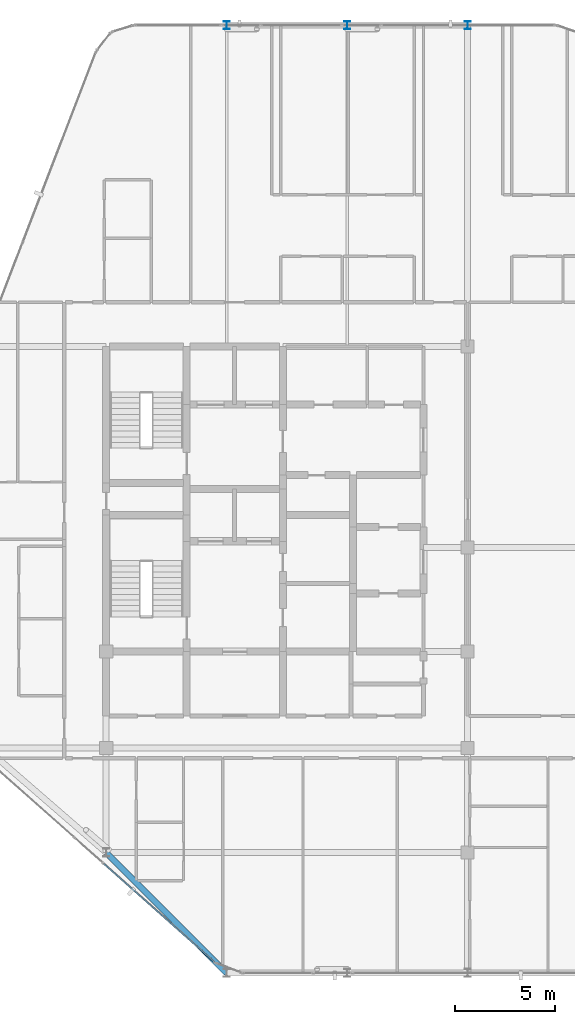
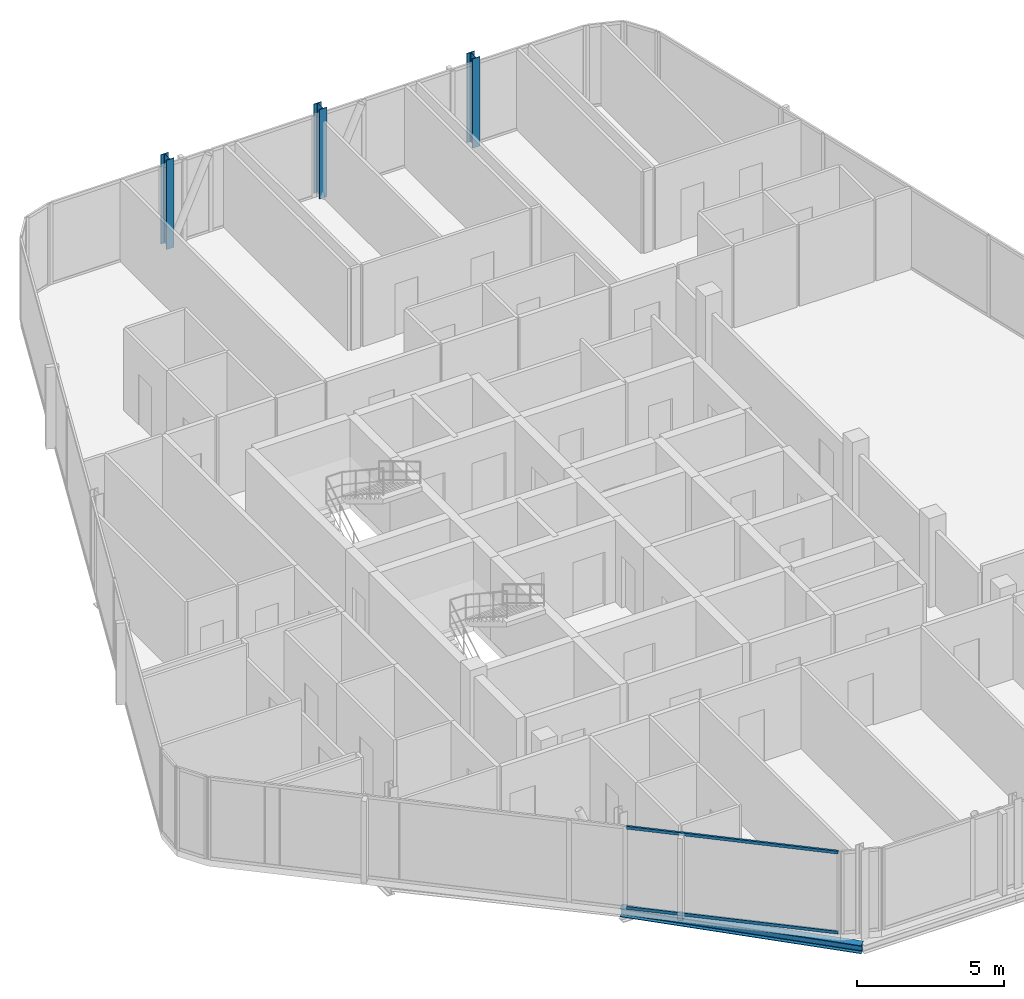
# One storey, part 2 of 27: 3 columns, 2 members, 1 beam, 1 element without a shape of its own.
"""IFC4 building model written with IfcOpenShell, lengths in metres."""

from ifc_helpers import new_model, si_unit, direction, frame, origin, origin_2d, place, context, subcontext, project, spatial, hollow_rectangle, i_section, extrude, material, layer, layer_set, material_profile, profile_set, type_object, element, aggregate, save


model = new_model("IFC4")

# Units and contexts
model_context = context("Model", 3, precision=1e-05, world=origin(), true_north=direction((0.0, 1.0)))
body_context = subcontext(model_context, "Body", "Model", "MODEL_VIEW")
ifc_project = project(units=[si_unit("LENGTHUNIT", "METRE"), si_unit("AREAUNIT", "SQUARE_METRE"), si_unit("VOLUMEUNIT", "CUBIC_METRE"), si_unit("PLANEANGLEUNIT", "RADIAN"), si_unit("MASSUNIT", "GRAM", prefix="KILO")], contexts=[model_context])

# Site, building, storey
site_placement = place(None, origin())
site = spatial("IfcSite", under=ifc_project, at=site_placement, CompositionType="ELEMENT")
building_placement = place(site_placement, origin())
building = spatial("IfcBuilding", under=site, at=building_placement, Name="Keshet Zoharim Tower", CompositionType="ELEMENT")
storey_placement = place(building_placement, frame((0.0, 0.0, 288.0)))
storey = spatial("IfcBuildingStorey", under=building, at=storey_placement, Name="L72", CompositionType="ELEMENT", Elevation=288.0)

# Columns
ifc_material_1 = material(Name="Steel S355", Category="steel")
ifc_material_profile_1 = material_profile(ifc_material_1, i_section(OverallWidth=0.300048828125, OverallDepth=0.39990234375, WebThickness=0.013427734375, FlangeThickness=0.02392578125, FilletRadius=0.027099609375, at=origin_2d()), Name="HEB400")
ifc_profile_set_1 = profile_set([ifc_material_profile_1], Name="Steel S355")
column_type = type_object("IfcColumnType", Name="COL-HEB400", PredefinedType="COLUMN", material=ifc_profile_set_1)
for number, where, z_axis, x_axis, name in (
    (1, (21.0, 53.89990234375, 0.0), (0.0, 0.0, 1.0), (1.0, 0.0, 0.0), "L72 Column 4L"),
    (2, (27.0, 53.89990234375, 0.0), (0.0, 0.0, 1.0), (1.0, 0.0, 0.0), "L72 Column 5L"),
    (3, (33.0, 53.89990234375, 0.0), (0.0, 0.0, 1.0), (1.0, 0.0, 0.0), "L72 Column 6L"),
):
    element("IfcColumn", number, at=place(storey_placement, frame(where, z_axis=z_axis, x_axis=x_axis)), inside=storey, type_object=column_type, Name=name, PredefinedType="COLUMN", context=body_context, shape_type="SweptSolid", body=[
        extrude(i_section(OverallWidth=0.300048828125, OverallDepth=0.39990234375, WebThickness=0.013427734375, FlangeThickness=0.02392578125, FilletRadius=0.027099609375, at=origin_2d()), origin(), (0.0, 0.0, 1.0), 3.699951171875),
    ])

# Beam
ifc_material_profile_2 = material_profile(ifc_material_1, i_section(OverallWidth=0.300048828125, OverallDepth=0.340087890625, WebThickness=0.011962890625, FlangeThickness=0.021484375, FilletRadius=0.027099609375, at=origin_2d()), Name="HEB340")
ifc_profile_set_2 = profile_set([ifc_material_profile_2], Name="Steel S355")
beam_type = type_object("IfcBeamType", Name="BM-SPN-HB340", PredefinedType="SPANDREL", material=ifc_profile_set_2)
beam_placement = place(storey_placement, frame((21.0, 6.699951171875, -0.47998046875), z_axis=(-0.707106781187, 0.707106781187, 0.0), x_axis=(-0.707106781187, -0.707106781187, 0.0)))
element("IfcBeam", 4, at=beam_placement, inside=storey, type_object=beam_type, Name="L72 Perimeter Spandrel Beam 01", PredefinedType="SPANDREL", context=body_context, shape_type="SweptSolid", body=[
    extrude(i_section(OverallWidth=0.300048828125, OverallDepth=0.340087890625, WebThickness=0.011962890625, FlangeThickness=0.021484375, FilletRadius=0.027099609375, at=origin_2d()), origin(), (0.0, 0.0, 1.0), 8.4853515625),
])

# Curtain wall, members
ifc_material_2 = material(Name="Aluminium 6063-T6", Category="aluminium")
ifc_layer = layer(ifc_material_2, 0.260009765625)
ifc_layer_set = layer_set([ifc_layer], Name="Aluminium 6063-T6")
curtain_wall_type = type_object("IfcCurtainWallType", Name="CW-SYS-06", PredefinedType="NOTDEFINED", material=ifc_layer_set)
curtain_wall_placement = place(storey_placement, origin())
curtain_wall = element("IfcCurtainWall", 5, at=curtain_wall_placement, inside=storey, type_object=curtain_wall_type, Name="L72 Unitised Curtain Wall 16", PredefinedType="NOTDEFINED")
ifc_material_profile_3 = material_profile(ifc_material_2, hollow_rectangle(XDim=0.074951171875, YDim=0.1201171875, WallThickness=0.00390625, at=origin_2d()), Name="TRN-75x120")
ifc_profile_set_3 = profile_set([ifc_material_profile_3], Name="Aluminium 6063-T6")
member_type = type_object("IfcMemberType", Name="CWT-T12", PredefinedType="USERDEFINED", material=ifc_profile_set_3)
member_1_placement = place(storey_placement, frame((20.379638671875, 7.25146484375, 0.034912109375), z_axis=(-0.747412985939, 0.664359713145, 0.0), x_axis=(-0.664359713145, -0.747412985939, 0.0)))
member_1 = element("IfcMember", 6, at=member_1_placement, type_object=member_type, Name="CW-06 transom 1.1", ObjectType="TRANSOM", PredefinedType="USERDEFINED", context=body_context, shape_type="SweptSolid", body=[
    extrude(hollow_rectangle(XDim=0.074951171875, YDim=0.1201171875, WallThickness=0.00390625, at=origin_2d()), origin(), (0.0, 0.0, 1.0), 7.345947265625),
])
member_2_placement = place(storey_placement, frame((20.379638671875, 7.25146484375, 3.35498046875), z_axis=(-0.747412985939, 0.664359713145, 0.0), x_axis=(-0.664359713145, -0.747412985939, 0.0)))
member_2 = element("IfcMember", 7, at=member_2_placement, type_object=member_type, Name="CW-06 transom 1.2", ObjectType="TRANSOM", PredefinedType="USERDEFINED", context=body_context, shape_type="SweptSolid", body=[
    extrude(hollow_rectangle(XDim=0.074951171875, YDim=0.1201171875, WallThickness=0.00390625, at=origin_2d()), origin(), (0.0, 0.0, 1.0), 7.345947265625),
])
aggregate(curtain_wall, [member_1, member_2])

save(model, "model.ifc")
